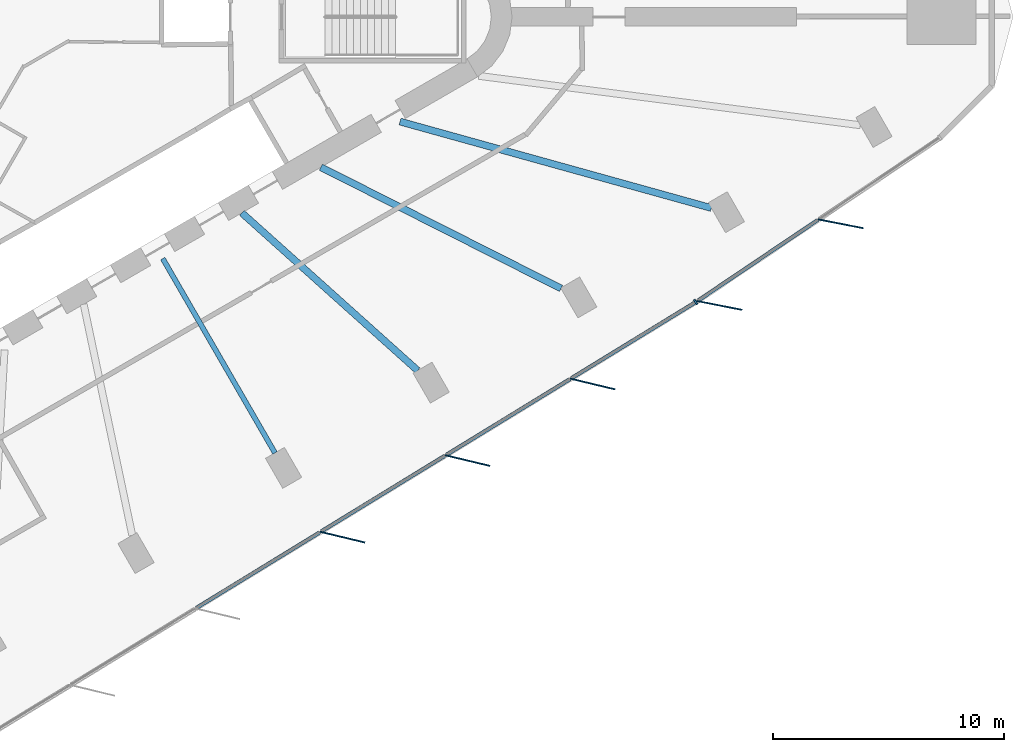
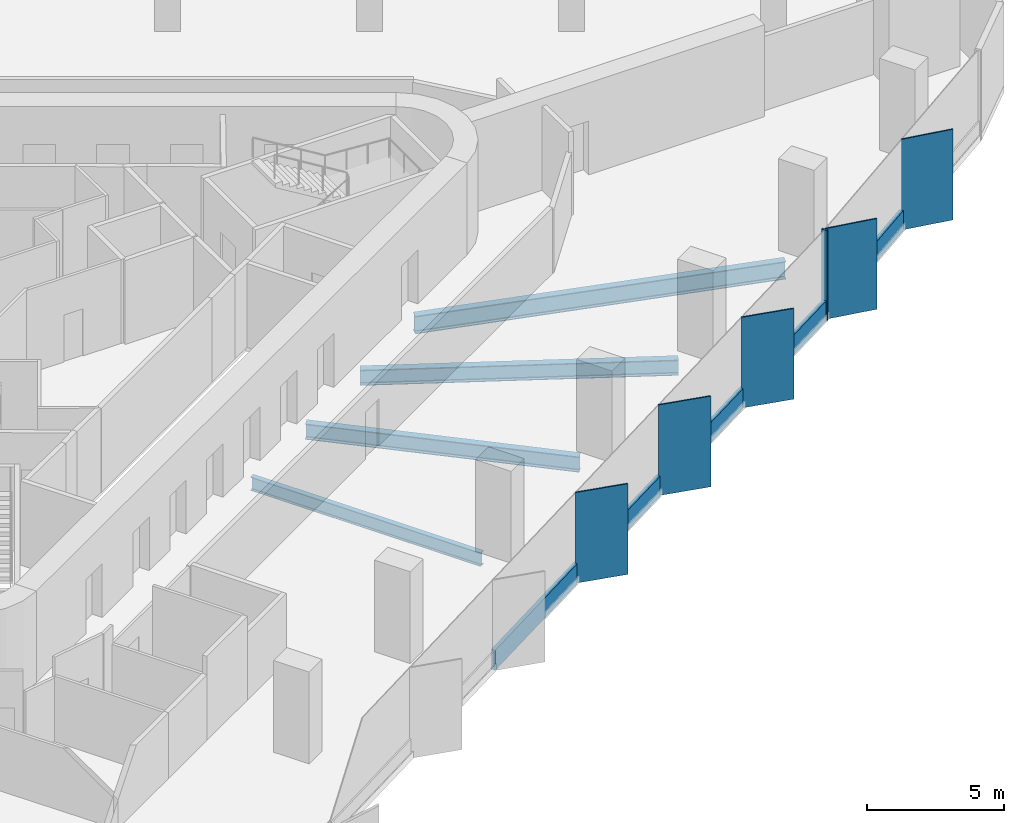
# One storey, part 3 of 14: 11 members, 4 beams, 2 elements without a shape of their own.
"""IFC4 building model written with IfcOpenShell, lengths in metres."""

import ifcopenshell
import ifcopenshell.guid

model = None  # the IFC model being written
_history = None  # IfcOwnerHistory: only IFC2X3 demands one
_inside = {}  # id of a spatial element -> (the spatial element, [elements in it])
_under = {}  # id of a project, library or spatial element -> (it, [spatial elements below it])
_declared = {}  # id of a project -> (the project, [libraries it declares])
_typed = {}  # id of a type object -> (the type object, [elements of that type])
_made_of = {}  # id of a material, layer set ... -> (it, [elements and type objects made of it])


def new_model(schema):
    """Start an empty IFC model of exactly this schema.

    Asked for "IFC4X3", IfcOpenShell would pick the latest addendum, in which some entities
    have other attributes; the version numbers below select the first issue.
    IFC2X3 requires an IfcOwnerHistory on every rooted entity: one is made here for all.
    """
    global model, _history
    if schema == "IFC4X3":
        model = ifcopenshell.file(schema_version=(4, 3, 0, 0))
    else:
        model = ifcopenshell.file(schema=schema)
    _inside.clear()
    _under.clear()
    _declared.clear()
    _typed.clear()
    _made_of.clear()
    _history = None
    if model.schema == "IFC2X3":
        org = make("IfcOrganization", Name="unknown")
        user = make(
            "IfcPersonAndOrganization",
            ThePerson=make("IfcPerson", FamilyName="unknown"),
            TheOrganization=org,
        )
        app = make(
            "IfcApplication",
            ApplicationDeveloper=org,
            Version="unknown",
            ApplicationFullName="unknown",
            ApplicationIdentifier="unknown",
        )
        _history = make(
            "IfcOwnerHistory",
            OwningUser=user,
            OwningApplication=app,
            ChangeAction="ADDED",
            CreationDate=0,
        )
    return model


def make(cls, **values):
    """One entity of the class cls with the attributes given. An attribute that is None is left unset."""
    return model.create_entity(
        cls, **{name: value for name, value in values.items() if value is not None}
    )


def rooted(cls, **values):
    """An entity with a GlobalId (a new one), such as an element, a storey or a relation."""
    return make(cls, GlobalId=ifcopenshell.guid.new(), OwnerHistory=_history, **values)


def si_unit(unit_type, name, prefix=None):
    """IfcSIUnit, for example si_unit("LENGTHUNIT", "METRE", prefix="MILLI")."""
    return make("IfcSIUnit", UnitType=unit_type, Prefix=prefix, Name=name)


def assignment(units):
    """IfcUnitAssignment: the units of a project."""
    return None if units is None else make("IfcUnitAssignment", Units=units)


def point(xyz):
    """IfcCartesianPoint."""
    return None if xyz is None else make("IfcCartesianPoint", Coordinates=xyz)


def direction(xyz):
    """IfcDirection."""
    return None if xyz is None else make("IfcDirection", DirectionRatios=xyz)


def frame(location, z_axis=None, x_axis=None):
    """IfcAxis2Placement3D, a coordinate frame: its origin and axes. An axis left out is left unset."""
    return make(
        "IfcAxis2Placement3D",
        Location=point(location),
        Axis=direction(z_axis),
        RefDirection=direction(x_axis),
    )


def frame_2d(location, x_axis=None):
    """IfcAxis2Placement2D, a coordinate frame in the plane: its origin and x axis."""
    return make(
        "IfcAxis2Placement2D", Location=point(location), RefDirection=direction(x_axis)
    )


def origin():
    """The frame at (0, 0, 0) with its axes left unset."""
    return frame((0.0, 0.0, 0.0))


def origin_2d():
    """The frame at (0, 0) in the plane with its x axis left unset."""
    return frame_2d((0.0, 0.0))


def place(relative_to, where):
    """IfcLocalPlacement: puts the frame where relative to a parent placement (None: the world)."""
    return make(
        "IfcLocalPlacement", PlacementRelTo=relative_to, RelativePlacement=where
    )


def context(
    kind, dimensions, precision=None, world=None, true_north=None, identifier=None
):
    """IfcGeometricRepresentationContext, for example the 3D "Model" context."""
    return make(
        "IfcGeometricRepresentationContext",
        ContextIdentifier=identifier,
        ContextType=kind,
        CoordinateSpaceDimension=dimensions,
        Precision=precision,
        WorldCoordinateSystem=world,
        TrueNorth=true_north,
    )


def subcontext(parent, identifier, kind, view, scale=None):
    """IfcGeometricRepresentationSubContext, for example "Body" below "Model"."""
    return make(
        "IfcGeometricRepresentationSubContext",
        ContextIdentifier=identifier,
        ContextType=kind,
        ParentContext=parent,
        TargetScale=scale,
        TargetView=view,
    )


def project(units=None, contexts=None):
    """IfcProject with its units and contexts."""
    return rooted(
        "IfcProject",
        Name="project",
        RepresentationContexts=contexts,
        UnitsInContext=assignment(units),
    )


def spatial(cls, under=None, at=None, **own):
    """A site, building, storey or space (cls), placed at a placement, below another one or the project."""
    s = rooted(cls, ObjectPlacement=at, **own)
    if under is not None:
        _under.setdefault(under.id(), (under, []))[1].append(s)
    return s


def profile(cls, at=None, kind="AREA", **sizes):
    """A parametric profile (cls). Its sizes go by their IFC names, for example OverallWidth=200.0."""
    return make(cls, ProfileType=kind, Position=at, **sizes)


def rectangle(**sizes):
    """IfcRectangleProfileDef."""
    return profile("IfcRectangleProfileDef", **sizes)


def i_section(**sizes):
    """IfcIShapeProfileDef."""
    return profile("IfcIShapeProfileDef", **sizes)


def extrude(swept, where, along, depth):
    """IfcExtrudedAreaSolid: the profile swept, set in the frame where, extruded along a direction by depth."""
    return make(
        "IfcExtrudedAreaSolid",
        SweptArea=swept,
        Position=where,
        ExtrudedDirection=direction(along),
        Depth=depth,
    )


def shape(context_of_items, identifier, shape_type, items):
    """IfcShapeRepresentation: the items that make up one representation, for example the "Body"."""
    return make(
        "IfcShapeRepresentation",
        ContextOfItems=context_of_items,
        RepresentationIdentifier=identifier,
        RepresentationType=shape_type,
        Items=items,
    )


def material(Name=None, Category=None):
    """IfcMaterial."""
    return make("IfcMaterial", Name=Name, Category=Category)


def material_profile(
    of_material, cross_section, Name=None, Category=None, Priority=None
):
    """IfcMaterialProfile: a cross section and its material."""
    return make(
        "IfcMaterialProfile",
        Name=Name,
        Material=of_material,
        Profile=cross_section,
        Priority=Priority,
        Category=Category,
    )


def profile_set(profiles, Name=None, composite=None):
    """IfcMaterialProfileSet."""
    return make(
        "IfcMaterialProfileSet",
        Name=Name,
        MaterialProfiles=profiles,
        CompositeProfile=composite,
    )


def made_of(thing, what):
    """Note that an element or type object is made of a material, layer set ...; save() writes the relation."""
    if what is not None:
        _made_of.setdefault(what.id(), (what, []))[1].append(thing)
    return thing


def type_object(cls, material=None, **own):
    """A type object (cls), such as IfcWallType, which elements share."""
    return made_of(rooted(cls, **own), material)


def element(
    cls,
    number,
    at=None,
    inside=None,
    cuts=None,
    type_object=None,
    material=None,
    context=None,
    identifier="Body",
    shape_type=None,
    held_by="IfcProductDefinitionShape",
    body=None,
    shapes=None,
    **own,
):
    """One element of the class cls, such as IfcWall. Its Tag is "e" and its number.

    at: its placement. inside: the storey or other place that contains it. cuts: it is an
    opening in that element (IfcRelVoidsElement). A single representation is given by context,
    identifier, shape_type and body (its items); several are given by shapes. held_by: the class
    of the entity that holds the representations. save() writes the other relations.
    """
    e = rooted(cls, Tag="e%d" % number, ObjectPlacement=at, **own)
    if body is not None:
        shapes = [shape(context, identifier, shape_type, body)]
    if shapes is not None:
        e.Representation = make(held_by, Representations=shapes)
    if inside is not None:
        _inside.setdefault(inside.id(), (inside, []))[1].append(e)
    if cuts is not None:
        rooted(
            "IfcRelVoidsElement", RelatingBuildingElement=cuts, RelatedOpeningElement=e
        )
    if type_object is not None:
        _typed.setdefault(type_object.id(), (type_object, []))[1].append(e)
    return made_of(e, material)


def aggregate(whole, parts):
    """IfcRelAggregates: a whole, such as a stair, and the parts it consists of."""
    return rooted("IfcRelAggregates", RelatingObject=whole, RelatedObjects=parts)


def save(model, path):
    """Write the relations noted so far, then the file.

    IfcRelAggregates (storeys below a building ...), IfcRelContainedInSpatialStructure (elements
    in a storey), IfcRelDefinesByType, IfcRelAssociatesMaterial and IfcRelDeclares: one each for
    every whole, place, type object, material and project.
    """
    for whole, parts in _under.values():
        aggregate(whole, parts)
    for where, things in _inside.values():
        rooted(
            "IfcRelContainedInSpatialStructure",
            RelatedElements=things,
            RelatingStructure=where,
        )
    for kind, things in _typed.values():
        rooted("IfcRelDefinesByType", RelatedObjects=things, RelatingType=kind)
    for what, things in _made_of.values():
        rooted("IfcRelAssociatesMaterial", RelatedObjects=things, RelatingMaterial=what)
    for by, libraries in _declared.values():
        rooted("IfcRelDeclares", RelatingContext=by, RelatedDefinitions=libraries)
    model.write(path)


model = new_model("IFC4")

# Units and contexts
model_context = context("Model", 3, precision=1e-05, world=origin(), true_north=direction((0.0, 1.0)))
body_context = subcontext(model_context, "Body", "Model", "MODEL_VIEW")
ifc_project = project(units=[si_unit("LENGTHUNIT", "METRE"), si_unit("AREAUNIT", "SQUARE_METRE"), si_unit("VOLUMEUNIT", "CUBIC_METRE"), si_unit("PLANEANGLEUNIT", "RADIAN"), si_unit("MASSUNIT", "GRAM", prefix="KILO")], contexts=[model_context])

# Site, building, storey
site_placement = place(None, origin())
site = spatial("IfcSite", under=ifc_project, at=site_placement, CompositionType="ELEMENT")
building_placement = place(site_placement, origin())
building = spatial("IfcBuilding", under=site, at=building_placement, Name="Tanit Gate Tower", CompositionType="ELEMENT")
storey_placement = place(building_placement, frame((0.0, 0.0, 152.10009765625)))
storey = spatial("IfcBuildingStorey", under=building, at=storey_placement, Name="L33", CompositionType="ELEMENT", Elevation=152.10009765625)

# Curtain wall, members
ifc_material_1 = material(Name="Aluminium bronze anodised and glass", Category="aluminium")
curtain_wall_type = type_object("IfcCurtainWallType", Name="Curtain wall typical low", PredefinedType="NOTDEFINED", material=ifc_material_1)
curtain_wall_1_placement = place(storey_placement, origin())
curtain_wall_1 = element("IfcCurtainWall", 1, at=curtain_wall_1_placement, inside=storey, type_object=curtain_wall_type, Name="Curtain wall L33 SE2", PredefinedType="NOTDEFINED")
ifc_material_2 = material(Name="Aluminium bronze anodised", Category="aluminium")
ifc_material_profile_1 = material_profile(ifc_material_2, rectangle(XDim=2.0, YDim=0.055908203125, at=origin_2d()), Name="56x2000 bronze fin mullion")
ifc_profile_set_1 = profile_set([ifc_material_profile_1], Name="Aluminium bronze anodised")
member_type_1 = type_object("IfcMemberType", Name="FIN MULLION 56x2000 bronze", PredefinedType="MULLION", material=ifc_profile_set_1)
member_1_placement = place(storey_placement, frame((13.8447265625, -22.560546875, -0.300048828125), z_axis=(0.0, 0.0, 1.0), x_axis=(-0.972310815553, 0.233691416098, 0.0)))
member_1 = element("IfcMember", 2, at=member_1_placement, type_object=member_type_1, Name="Fin mullion L33 SE2.4", PredefinedType="MULLION", context=body_context, shape_type="SweptSolid", body=[
    extrude(rectangle(XDim=2.0, YDim=0.055908203125, at=origin_2d()), origin(), (0.0, 0.0, 1.0), 4.050048828125),
])
member_2_placement = place(storey_placement, frame((19.26806640625, -19.239013671875, -0.300048828125), z_axis=(0.0, 0.0, 1.0), x_axis=(-0.972310815553, 0.233691416098, 0.0)))
member_2 = element("IfcMember", 3, at=member_2_placement, type_object=member_type_1, Name="Fin mullion L33 SE2.5", PredefinedType="MULLION", context=body_context, shape_type="SweptSolid", body=[
    extrude(rectangle(XDim=2.0, YDim=0.055908203125, at=origin_2d()), origin(), (0.0, 0.0, 1.0), 4.050048828125),
])
member_3_placement = place(storey_placement, frame((24.691650390625, -15.917236328125, -0.300048828125), z_axis=(0.0, 0.0, 1.0), x_axis=(-0.972310815553, 0.233691416098, 0.0)))
member_3 = element("IfcMember", 4, at=member_3_placement, type_object=member_type_1, Name="Fin mullion L33 SE2.6", PredefinedType="MULLION", context=body_context, shape_type="SweptSolid", body=[
    extrude(rectangle(XDim=2.0, YDim=0.055908203125, at=origin_2d()), origin(), (0.0, 0.0, 1.0), 4.050048828125),
])

curtain_wall_2_placement = place(storey_placement, origin())
curtain_wall_2 = element("IfcCurtainWall", 5, at=curtain_wall_2_placement, inside=storey, type_object=curtain_wall_type, Name="Curtain wall L33 SE3", PredefinedType="NOTDEFINED")
member_4_placement = place(storey_placement, frame((30.19140625, -12.511474609375, -0.300048828125), z_axis=(0.0, 0.0, 1.0), x_axis=(-0.981446047201, 0.191738510566, 0.0)))
member_4 = element("IfcMember", 6, at=member_4_placement, type_object=member_type_1, Name="Fin mullion L33 SE3.1", PredefinedType="MULLION", context=body_context, shape_type="SweptSolid", body=[
    extrude(rectangle(XDim=2.0, YDim=0.055908203125, at=origin_2d()), origin(), (0.0, 0.0, 1.0), 4.050048828125),
])
member_5_placement = place(storey_placement, frame((35.45166015625, -8.970458984375, -0.300048828125), z_axis=(0.0, 0.0, 1.0), x_axis=(-0.981446047201, 0.191738510566, 0.0)))
member_5 = element("IfcMember", 7, at=member_5_placement, type_object=member_type_1, Name="Fin mullion L33 SE3.2", PredefinedType="MULLION", context=body_context, shape_type="SweptSolid", body=[
    extrude(rectangle(XDim=2.0, YDim=0.055908203125, at=origin_2d()), origin(), (0.0, 0.0, 1.0), 4.050048828125),
])

# Member
ifc_material_3 = material(Name="Aluminium bronze anodised", Category="aluminium")
ifc_material_profile_2 = material_profile(ifc_material_3, rectangle(XDim=0.239990234375, YDim=0.080078125, at=origin_2d()), Name="80x240 bronze mullion")
ifc_profile_set_2 = profile_set([ifc_material_profile_2], Name="Aluminium bronze anodised")
member_type_2 = type_object("IfcMemberType", Name="Mullion 80x240 typical low", PredefinedType="MULLION", material=ifc_profile_set_2)
member_6_placement = place(storey_placement, frame((29.164794921875, -12.3671875, -0.300048828125), z_axis=(0.0, 0.0, 1.0), x_axis=(-0.522282786071, 0.852772356127, 0.0)))
member_6 = element("IfcMember", 8, at=member_6_placement, type_object=member_type_2, Name="Mullion L33 SE2.7", PredefinedType="MULLION", context=body_context, shape_type="SweptSolid", body=[
    extrude(rectangle(XDim=0.239990234375, YDim=0.080078125, at=origin_2d()), origin(), (0.0, 0.0, 1.0), 4.050048828125),
])

# Beams
ifc_material_4 = material(Name="Steel S355", Category="steel")
ifc_material_profile_3 = material_profile(ifc_material_4, i_section(OverallWidth=0.300048828125, OverallDepth=0.68994140625, WebThickness=0.014404296875, FlangeThickness=0.027099609375, FilletRadius=0.027099609375, at=origin_2d()), Name="HEA 700")
ifc_profile_set_3 = profile_set([ifc_material_profile_3], Name="Steel S355")
beam_type_1 = type_object("IfcBeamType", Name="RADIAL GIRDER HEA 700 S355", PredefinedType="BEAM", material=ifc_profile_set_3)
beam_1_placement = place(storey_placement, frame((17.104736328125, -15.33447265625, -0.64501953125), z_axis=(-0.744579249177, 0.667534075307, 0.0), x_axis=(-0.667534075307, -0.744579249177, 0.0)))
element("IfcBeam", 9, at=beam_1_placement, inside=storey, type_object=beam_type_1, Name="RADIAL GIRDER", PredefinedType="BEAM", context=body_context, shape_type="SweptSolid", body=[
    extrude(i_section(OverallWidth=0.300048828125, OverallDepth=0.68994140625, WebThickness=0.014404296875, FlangeThickness=0.027099609375, FilletRadius=0.027099609375, at=origin_2d()), origin(), (0.0, 0.0, 1.0), 10.23828125),
])
beam_2_placement = place(storey_placement, frame((23.3193359375, -11.774658203125, -0.64501953125), z_axis=(-0.892657080142, 0.450736438811, 0.0), x_axis=(-0.450736438811, -0.892657080142, 0.0)))
element("IfcBeam", 10, at=beam_2_placement, inside=storey, type_object=beam_type_1, Name="RADIAL GIRDER", PredefinedType="BEAM", context=body_context, shape_type="SweptSolid", body=[
    extrude(i_section(OverallWidth=0.300048828125, OverallDepth=0.68994140625, WebThickness=0.014404296875, FlangeThickness=0.027099609375, FilletRadius=0.027099609375, at=origin_2d()), origin(), (0.0, 0.0, 1.0), 11.658935546875),
])
ifc_material_5 = material(Name="Steel S355", Category="steel")
ifc_material_profile_4 = material_profile(ifc_material_5, i_section(OverallWidth=0.300048828125, OverallDepth=0.7900390625, WebThickness=0.014892578125, FlangeThickness=0.028076171875, FilletRadius=0.030029296875, at=origin_2d()), Name="HEA 800")
ifc_profile_set_4 = profile_set([ifc_material_profile_4], Name="Steel S355")
beam_type_2 = type_object("IfcBeamType", Name="RADIAL GIRDER HEA 800 S355", PredefinedType="BEAM", material=ifc_profile_set_4)
beam_3_placement = place(storey_placement, frame((29.841552734375, -8.288330078125, -0.695068359375), z_axis=(-0.9635276455, 0.267608812181, 0.0), x_axis=(-0.267608812181, -0.9635276455, 0.0)))
element("IfcBeam", 11, at=beam_3_placement, inside=storey, type_object=beam_type_2, Name="RADIAL GIRDER", PredefinedType="BEAM", context=body_context, shape_type="SweptSolid", body=[
    extrude(i_section(OverallWidth=0.300048828125, OverallDepth=0.7900390625, WebThickness=0.014892578125, FlangeThickness=0.028076171875, FilletRadius=0.030029296875, at=origin_2d()), origin(), (0.0, 0.0, 1.0), 14.01025390625),
])
ifc_material_6 = material(Name="Steel S355", Category="steel")
ifc_material_profile_5 = material_profile(ifc_material_6, i_section(OverallWidth=0.219970703125, OverallDepth=0.60009765625, WebThickness=0.011962890625, FlangeThickness=0.01904296875, FilletRadius=0.02392578125, at=origin_2d()), Name="IPE 600")
ifc_profile_set_5 = profile_set([ifc_material_profile_5], Name="Steel S355")
beam_type_3 = type_object("IfcBeamType", Name="RADIAL GIRDER IPE 600 S355", PredefinedType="BEAM", material=ifc_profile_set_5)
beam_4_placement = place(storey_placement, frame((10.916259765625, -18.907470703125, -0.60009765625), z_axis=(-0.500003351622, 0.866023468716, 0.0), x_axis=(-0.866023468716, -0.500003351622, 0.0)))
element("IfcBeam", 12, at=beam_4_placement, inside=storey, type_object=beam_type_3, Name="RADIAL GIRDER", PredefinedType="BEAM", context=body_context, shape_type="SweptSolid", body=[
    extrude(i_section(OverallWidth=0.219970703125, OverallDepth=0.60009765625, WebThickness=0.011962890625, FlangeThickness=0.01904296875, FilletRadius=0.02392578125, at=origin_2d()), origin(), (0.0, 0.0, 1.0), 9.73046875),
])

# Member
ifc_material_7 = material(Name="Aluminium bronze anodised", Category="aluminium")
ifc_material_profile_6 = material_profile(ifc_material_7, rectangle(XDim=0.159912109375, YDim=0.89990234375, at=origin_2d()), Name="160x900 bronze transom")
ifc_profile_set_6 = profile_set([ifc_material_profile_6], Name="Aluminium bronze anodised")
member_type_3 = type_object("IfcMemberType", Name="Transom 160x900 typical low", PredefinedType="USERDEFINED", material=ifc_profile_set_6)
member_7_placement = place(storey_placement, frame((7.5048828125, -25.6328125, 0.14990234375), z_axis=(0.852785581327, 0.522261191628, 0.0), x_axis=(-0.522261191628, 0.852785581327, 0.0)))
member_7 = element("IfcMember", 13, at=member_7_placement, type_object=member_type_3, Name="Transom L33 SE2.3", ObjectType="TRANSOM", PredefinedType="USERDEFINED", context=body_context, shape_type="SweptSolid", body=[
    extrude(rectangle(XDim=0.159912109375, YDim=0.89990234375, at=origin_2d()), origin(), (0.0, 0.0, 1.0), 6.280029296875),
])

member_8_placement = place(storey_placement, frame((12.928466796875, -22.311279296875, 0.14990234375), z_axis=(0.852774977088, 0.522278506597, 0.0), x_axis=(-0.522278506597, 0.852774977088, 0.0)))
member_8 = element("IfcMember", 14, at=member_8_placement, type_object=member_type_3, Name="Transom L33 SE2.4", ObjectType="TRANSOM", PredefinedType="USERDEFINED", context=body_context, shape_type="SweptSolid", body=[
    extrude(rectangle(XDim=0.159912109375, YDim=0.89990234375, at=origin_2d()), origin(), (0.0, 0.0, 1.0), 6.27978515625),
])

member_9_placement = place(storey_placement, frame((18.35205078125, -18.989501953125, 0.14990234375), z_axis=(0.852774977088, 0.522278506597, 0.0), x_axis=(-0.522278506597, 0.852774977088, 0.0)))
member_9 = element("IfcMember", 15, at=member_9_placement, type_object=member_type_3, Name="Transom L33 SE2.5", ObjectType="TRANSOM", PredefinedType="USERDEFINED", context=body_context, shape_type="SweptSolid", body=[
    extrude(rectangle(XDim=0.159912109375, YDim=0.89990234375, at=origin_2d()), origin(), (0.0, 0.0, 1.0), 6.27978515625),
])

member_10_placement = place(storey_placement, frame((23.775390625, -15.66796875, 0.14990234375), z_axis=(0.852774977088, 0.522278506597, 0.0), x_axis=(-0.522278506597, 0.852774977088, 0.0)))
member_10 = element("IfcMember", 16, at=member_10_placement, type_object=member_type_3, Name="Transom L33 SE2.6", ObjectType="TRANSOM", PredefinedType="USERDEFINED", context=body_context, shape_type="SweptSolid", body=[
    extrude(rectangle(XDim=0.159912109375, YDim=0.89990234375, at=origin_2d()), origin(), (0.0, 0.0, 1.0), 6.27978515625),
])

aggregate(curtain_wall_1, [member_1, member_2, member_3, member_6, member_7, member_8, member_9, member_10])

member_11_placement = place(storey_placement, frame((29.26513671875, -12.3017578125, 0.14990234375), z_axis=(0.829564474487, 0.55841094426, 0.0), x_axis=(-0.55841094426, 0.829564474487, 0.0)))
member_11 = element("IfcMember", 17, at=member_11_placement, type_object=member_type_3, Name="Transom L33 SE3.1", ObjectType="TRANSOM", PredefinedType="USERDEFINED", context=body_context, shape_type="SweptSolid", body=[
    extrude(rectangle(XDim=0.159912109375, YDim=0.89990234375, at=origin_2d()), origin(), (0.0, 0.0, 1.0), 6.26123046875),
])

aggregate(curtain_wall_2, [member_4, member_5, member_11])

save(model, "model.ifc")
